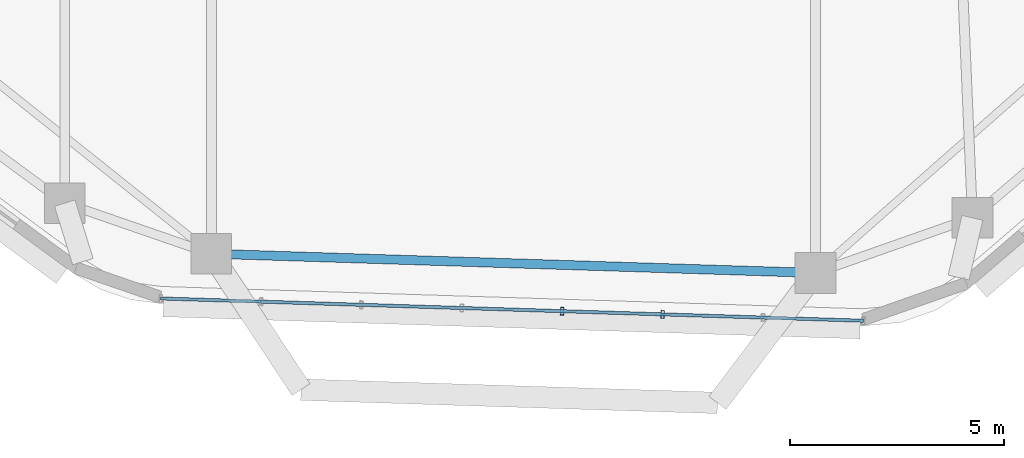
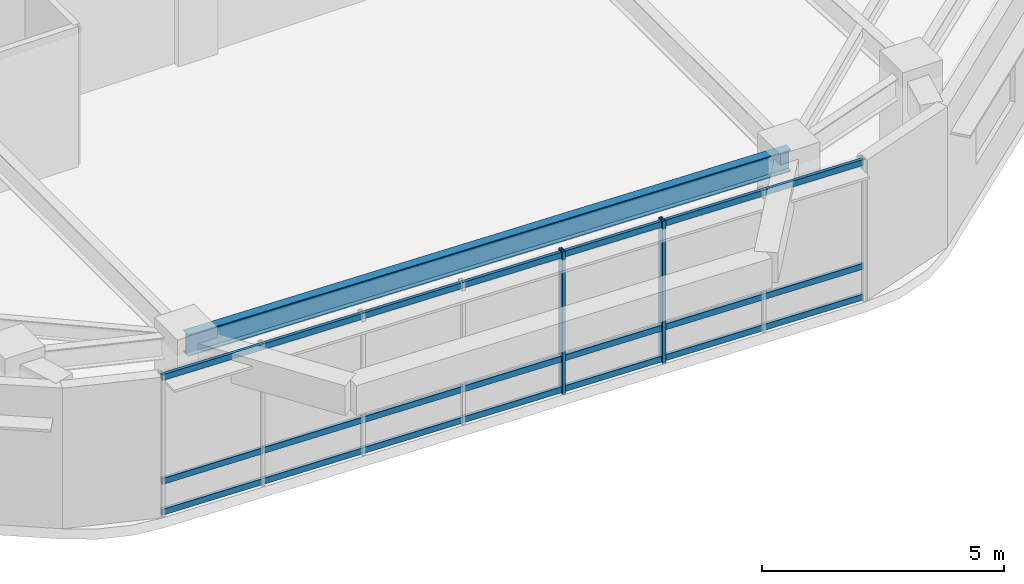
# One storey, part 3 of 12: 5 members, 1 beam, 1 element without a shape of its own.
"""IFC4 building model written with IfcOpenShell, lengths in metres."""

from ifc_helpers import new_model, si_unit, direction, frame, origin, origin_2d, place, context, subcontext, project, spatial, hollow_rectangle, i_section, extrude, material, material_profile, profile_set, type_object, element, aggregate, save


model = new_model("IFC4")

# Units and contexts
model_context = context("Model", 3, precision=1e-05, world=origin(), true_north=direction((0.0, 1.0)))
body_context = subcontext(model_context, "Body", "Model", "MODEL_VIEW")
ifc_project = project(units=[si_unit("LENGTHUNIT", "METRE"), si_unit("AREAUNIT", "SQUARE_METRE"), si_unit("VOLUMEUNIT", "CUBIC_METRE"), si_unit("PLANEANGLEUNIT", "RADIAN"), si_unit("MASSUNIT", "GRAM", prefix="KILO")], contexts=[model_context])

# Site, building, storey
site_placement = place(None, origin())
site = spatial("IfcSite", under=ifc_project, at=site_placement, CompositionType="ELEMENT")
building_placement = place(site_placement, origin())
building = spatial("IfcBuilding", under=site, at=building_placement, Name="Zulverin Broadcast Headquarters", CompositionType="ELEMENT")
storey_placement = place(building_placement, frame((0.0, 0.0, 185.800048828125)))
storey = spatial("IfcBuildingStorey", under=building, at=storey_placement, Name="L47", CompositionType="ELEMENT", Elevation=185.800048828125)

# Beam
ifc_material_1 = material(Name="Structural steel S355JR", Category="steel")
ifc_material_profile_1 = material_profile(ifc_material_1, i_section(OverallWidth=0.2119140625, OverallDepth=0.54443359375, WebThickness=0.0126953125, FlangeThickness=0.021240234375, at=origin_2d()), Name="Structural steel S355JR", Category="steel")
ifc_profile_set_1 = profile_set([ifc_material_profile_1], Name="Structural steel S355JR")
beam_type = type_object("IfcBeamType", Name="BM-UB-533", PredefinedType="SPANDREL", material=ifc_profile_set_1)
beam_placement = place(storey_placement, frame((30.80859375, 4.12744140625, 3.267578125), z_axis=(0.999497363437, -0.031702058031, 0.0), x_axis=(0.031702058031, 0.999497363437, 0.0)))
element("IfcBeam", 1, at=beam_placement, inside=storey, type_object=beam_type, Name="L47 Perimeter Spandrel Beam SP-01", PredefinedType="SPANDREL", context=body_context, shape_type="SweptSolid", body=[
    extrude(i_section(OverallWidth=0.2119140625, OverallDepth=0.54443359375, WebThickness=0.0126953125, FlangeThickness=0.021240234375, at=origin_2d()), origin(), (0.0, 0.0, 1.0), 14.1083984375),
])

# Curtain wall, members
ifc_material_2 = material(Name="Waist wind-pressure unitised curtain wall", Category="aluminium")
curtain_wall_type = type_object("IfcCurtainWallType", Name="CW-TWR-WST", PredefinedType="USERDEFINED", material=ifc_material_2)
curtain_wall_placement = place(storey_placement, origin())
curtain_wall = element("IfcCurtainWall", 2, at=curtain_wall_placement, inside=storey, type_object=curtain_wall_type, Name="L47 Unitised Curtain Wall CW-L47-E1", ObjectType="UNITISED CURTAIN WALL", PredefinedType="USERDEFINED")
ifc_material_3 = material(Name="Anodized pale-metal aluminium alloy 6063-T6", Category="aluminium")
ifc_material_profile_2 = material_profile(ifc_material_3, hollow_rectangle(XDim=0.074951171875, YDim=0.179931640625, WallThickness=0.0048828125, at=origin_2d()), Name="Anodized pale-metal aluminium alloy 6063-T6", Category="aluminium")
ifc_profile_set_2 = profile_set([ifc_material_profile_2], Name="Anodized pale-metal aluminium alloy 6063-T6")
member_type_1 = type_object("IfcMemberType", Name="CW-MUL-180", PredefinedType="MULLION", material=ifc_profile_set_2)
member_1_placement = place(storey_placement, frame((38.996337890625, 2.787109375, -0.030029296875), z_axis=(0.0, 0.0, 1.0), x_axis=(0.999497141269, -0.031709061709, 0.0)))
member_1 = element("IfcMember", 3, at=member_1_placement, type_object=member_type_1, Name="CW-L47-E1 Mullion 04", PredefinedType="MULLION", context=body_context, shape_type="SweptSolid", body=[
    extrude(hollow_rectangle(XDim=0.074951171875, YDim=0.179931640625, WallThickness=0.0048828125, at=origin_2d()), origin(), (0.0, 0.0, 1.0), 3.60009765625),
])
member_2_placement = place(storey_placement, frame((41.339111328125, 2.712890625, -0.030029296875), z_axis=(0.0, 0.0, 1.0), x_axis=(0.999497141269, -0.031709061709, 0.0)))
member_2 = element("IfcMember", 4, at=member_2_placement, type_object=member_type_1, Name="CW-L47-E1 Mullion 05", PredefinedType="MULLION", context=body_context, shape_type="SweptSolid", body=[
    extrude(hollow_rectangle(XDim=0.074951171875, YDim=0.179931640625, WallThickness=0.0048828125, at=origin_2d()), origin(), (0.0, 0.0, 1.0), 3.60009765625),
])
ifc_material_profile_3 = material_profile(ifc_material_3, hollow_rectangle(XDim=0.074951171875, YDim=0.14990234375, WallThickness=0.0048828125, at=origin_2d()), Name="Anodized pale-metal aluminium alloy 6063-T6", Category="aluminium")
ifc_profile_set_3 = profile_set([ifc_material_profile_3], Name="Anodized pale-metal aluminium alloy 6063-T6")
member_type_2 = type_object("IfcMemberType", Name="CW-TRN-150", PredefinedType="USERDEFINED", material=ifc_profile_set_3)
member_3_placement = place(storey_placement, frame((29.625, 3.08447265625, 0.074951171875), z_axis=(0.99949718661, -0.031707632487, 0.0), x_axis=(0.031707632487, 0.99949718661, 0.0)))
member_3 = element("IfcMember", 5, at=member_3_placement, type_object=member_type_2, Name="CW-L47-E1 Transom 0", ObjectType="TRANSOM", PredefinedType="USERDEFINED", context=body_context, shape_type="SweptSolid", body=[
    extrude(hollow_rectangle(XDim=0.074951171875, YDim=0.14990234375, WallThickness=0.0048828125, at=origin_2d()), origin(), (0.0, 0.0, 1.0), 16.408203125),
])
member_4_placement = place(storey_placement, frame((29.625, 3.08447265625, 0.849609375), z_axis=(0.99949718661, -0.031707632487, 0.0), x_axis=(0.031707632487, 0.99949718661, 0.0)))
member_4 = element("IfcMember", 6, at=member_4_placement, type_object=member_type_2, Name="CW-L47-E1 Transom 1", ObjectType="TRANSOM", PredefinedType="USERDEFINED", context=body_context, shape_type="SweptSolid", body=[
    extrude(hollow_rectangle(XDim=0.074951171875, YDim=0.14990234375, WallThickness=0.0048828125, at=origin_2d()), origin(), (0.0, 0.0, 1.0), 16.408203125),
])
member_5_placement = place(storey_placement, frame((29.625, 3.08447265625, 3.46484375), z_axis=(0.99949718661, -0.031707632487, 0.0), x_axis=(0.031707632487, 0.99949718661, 0.0)))
member_5 = element("IfcMember", 7, at=member_5_placement, type_object=member_type_2, Name="CW-L47-E1 Transom 2", ObjectType="TRANSOM", PredefinedType="USERDEFINED", context=body_context, shape_type="SweptSolid", body=[
    extrude(hollow_rectangle(XDim=0.074951171875, YDim=0.14990234375, WallThickness=0.0048828125, at=origin_2d()), origin(), (0.0, 0.0, 1.0), 16.408203125),
])
aggregate(curtain_wall, [member_1, member_2, member_3, member_4, member_5])

save(model, "model.ifc")
